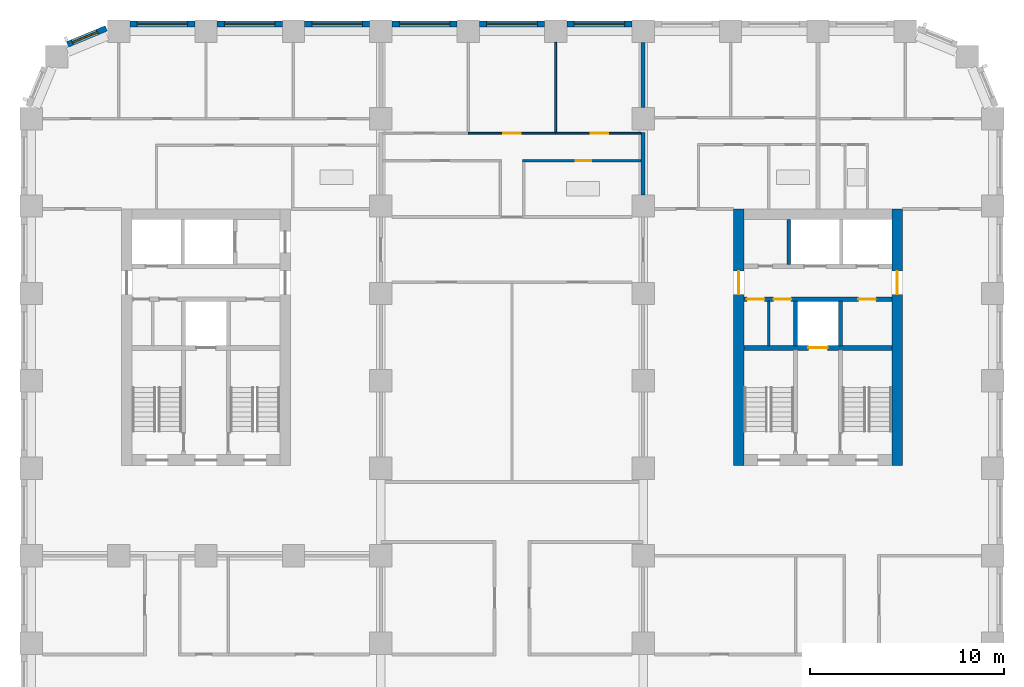
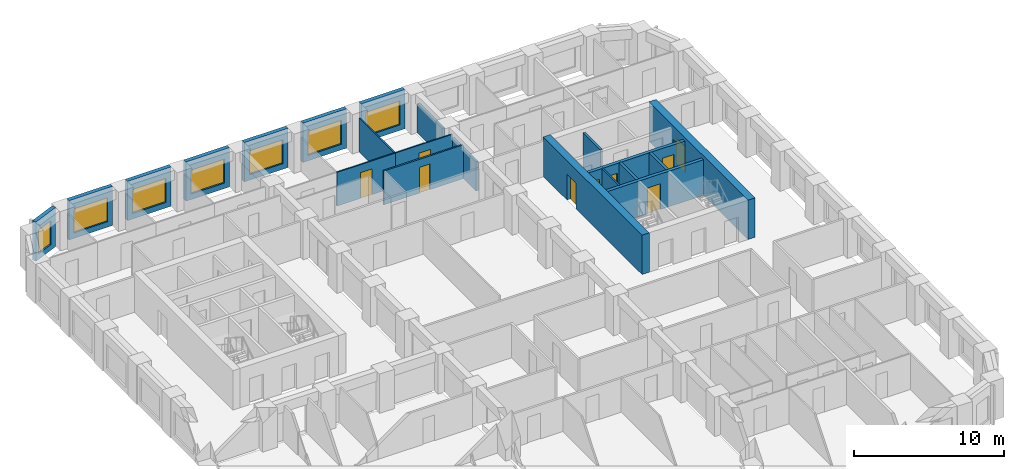
# One storey, part 8 of 13: 21 walls, 9 doors, 7 windows, 16 openings.
"""IFC4 building model written with IfcOpenShell, lengths in metres."""

from ifc_helpers import new_model, si_unit, direction, frame, frame_2d, origin, place, context, subcontext, project, spatial, rectangle, extrude, material, layer, layer_set, type_object, element, fill, save


model = new_model("IFC4")

# Units and contexts
model_context = context("Model", 3, precision=1e-05, world=origin(), true_north=direction((0.0, 1.0)))
body_context = subcontext(model_context, "Body", "Model", "MODEL_VIEW")
ifc_project = project(units=[si_unit("LENGTHUNIT", "METRE"), si_unit("AREAUNIT", "SQUARE_METRE"), si_unit("VOLUMEUNIT", "CUBIC_METRE"), si_unit("PLANEANGLEUNIT", "RADIAN"), si_unit("MASSUNIT", "GRAM", prefix="KILO")], contexts=[model_context])

# Site, building, storey
site_placement = place(None, origin())
site = spatial("IfcSite", under=ifc_project, at=site_placement, CompositionType="ELEMENT")
building_placement = place(site_placement, origin())
building = spatial("IfcBuilding", under=site, at=building_placement, Name="Girih Gate Residences", CompositionType="ELEMENT")
storey_placement = place(building_placement, frame((0.0, 0.0, 86.39990234375)))
storey = spatial("IfcBuildingStorey", under=building, at=storey_placement, Name="L23", CompositionType="ELEMENT", Elevation=86.39990234375)

# Wall, opening, door
ifc_material_1 = material(Name="Concrete C60/75", Category="concrete")
ifc_layer_1 = layer(ifc_material_1, 0.550048828125)
ifc_layer_set_1 = layer_set([ifc_layer_1], Name="Core wall RC 550 Concrete C60/75")
wall_type_1 = type_object("IfcWallType", Name="Core wall RC 550 Concrete C60/75", PredefinedType="SOLIDWALL", material=ifc_layer_set_1)
wall_1_placement = place(storey_placement, frame((36.425048828125, 27.14990234375, 0.0), z_axis=(0.0, 0.0, 1.0), x_axis=(0.0, 1.0, 0.0)))
wall_1 = element("IfcWall", 1, at=wall_1_placement, inside=storey, type_object=wall_type_1, Name="Core wall E-W L23", PredefinedType="SOLIDWALL", context=body_context, shape_type="SweptSolid", body=[
    extrude(rectangle(XDim=13.2001953125, YDim=0.550048828125, at=frame_2d((6.60009765625, 0.0))), origin(), (0.0, 0.0, 1.0), 3.2001953125),
])
opening_1_placement = place(wall_1_placement, frame((8.800048828125, 0.0, 0.0)))
opening_1 = element("IfcOpeningElement", 2, at=opening_1_placement, cuts=wall_1, Name="Opening D-L23-E-013", PredefinedType="OPENING", context=body_context, shape_type="SweptSolid", body=[
    extrude(rectangle(XDim=1.199951171875, YDim=2.10009765625, at=frame_2d((0.60009765625, 1.050048828125))), frame((0.0, 0.284912109375, 0.0), z_axis=(0.0, -1.0, 0.0), x_axis=(1.0, 0.0, 0.0)), (0.0, 0.0, 1.0), 0.570068359375),
])
ifc_material_2 = material(Name="Painted steel, fire-resisting", Category="steel")
door_type_1 = type_object("IfcDoorType", Name="Fire door 1200x2100", OperationType="SINGLE_SWING_LEFT", PredefinedType="DOOR", material=ifc_material_2)
door_1_placement = place(opening_1_placement, origin())
door_1 = element("IfcDoor", 3, at=door_1_placement, inside=storey, type_object=door_type_1, Name="L23 E core door ll-w", OperationType="SINGLE_SWING_LEFT", OverallHeight=2.10009765625, OverallWidth=1.199951171875, PredefinedType="DOOR", context=body_context, shape_type="SweptSolid", body=[
    extrude(rectangle(XDim=1.199951171875, YDim=2.10009765625, at=frame_2d((0.60009765625, 1.050048828125))), frame((0.0, 0.02490234375, 0.0), z_axis=(0.0, -1.0, 0.0), x_axis=(1.0, 0.0, 0.0)), (0.0, 0.0, 1.0), 0.050048828125),
])
fill(opening_1, door_1)

wall_2_placement = place(storey_placement, frame((44.574951171875, 27.14990234375, 0.0), z_axis=(0.0, 0.0, 1.0), x_axis=(0.0, 1.0, 0.0)))
wall_2 = element("IfcWall", 4, at=wall_2_placement, inside=storey, type_object=wall_type_1, Name="Core wall E-E L23", PredefinedType="SOLIDWALL", context=body_context, shape_type="SweptSolid", body=[
    extrude(rectangle(XDim=13.2001953125, YDim=0.550048828125, at=frame_2d((6.60009765625, 0.0))), origin(), (0.0, 0.0, 1.0), 3.2001953125),
])
opening_2_placement = place(wall_2_placement, frame((8.800048828125, 0.0, 0.0)))
opening_2 = element("IfcOpeningElement", 5, at=opening_2_placement, cuts=wall_2, Name="Opening D-L23-E-014", PredefinedType="OPENING", context=body_context, shape_type="SweptSolid", body=[
    extrude(rectangle(XDim=1.199951171875, YDim=2.10009765625, at=frame_2d((0.60009765625, 1.050048828125))), frame((0.0, 0.284912109375, 0.0), z_axis=(0.0, -1.0, 0.0), x_axis=(1.0, 0.0, 0.0)), (0.0, 0.0, 1.0), 0.570068359375),
])
door_2_placement = place(opening_2_placement, origin())
door_2 = element("IfcDoor", 6, at=door_2_placement, inside=storey, type_object=door_type_1, Name="L23 E core door ll-e", OperationType="SINGLE_SWING_LEFT", OverallHeight=2.10009765625, OverallWidth=1.199951171875, PredefinedType="DOOR", context=body_context, shape_type="SweptSolid", body=[
    extrude(rectangle(XDim=1.199951171875, YDim=2.10009765625, at=frame_2d((0.60009765625, 1.050048828125))), frame((0.0, 0.02490234375, 0.0), z_axis=(0.0, -1.0, 0.0), x_axis=(1.0, 0.0, 0.0)), (0.0, 0.0, 1.0), 0.050048828125),
])
fill(opening_2, door_2)

ifc_material_3 = material(Name="Concrete C40/50", Category="concrete")
ifc_layer_2 = layer(ifc_material_3, 0.25)
ifc_layer_set_2 = layer_set([ifc_layer_2], Name="Lift shaft wall 250")
wall_type_2 = type_object("IfcWallType", Name="Lift shaft wall 250", PredefinedType="SOLIDWALL", material=ifc_layer_set_2)
wall_3_placement = place(storey_placement, frame((36.699951171875, 33.199951171875, 0.0), z_axis=(0.0, 0.0, 1.0), x_axis=(1.0, 0.0, 0.0)))
wall_3 = element("IfcWall", 7, at=wall_3_placement, inside=storey, type_object=wall_type_2, Name="L23 E core wall H1", PredefinedType="SOLIDWALL", context=body_context, shape_type="SweptSolid", body=[
    extrude(rectangle(XDim=7.60009765625, YDim=0.25, at=frame_2d((3.800048828125, 0.0))), origin(), (0.0, 0.0, 1.0), 2.900146484375),
])
opening_3_placement = place(wall_3_placement, frame((3.300048828125, 0.0, 0.0)))
opening_3 = element("IfcOpeningElement", 8, at=opening_3_placement, cuts=wall_3, Name="Opening D-L23-E-005", PredefinedType="OPENING", context=body_context, shape_type="SweptSolid", body=[
    extrude(rectangle(XDim=1.0, YDim=2.10009765625, at=frame_2d((0.5, 1.050048828125))), frame((0.0, 0.135009765625, 0.0), z_axis=(0.0, -1.0, 0.0), x_axis=(1.0, 0.0, 0.0)), (0.0, 0.0, 1.0), 0.27001953125),
])
ifc_material_4 = material(Name="Stainless steel, fire-resisting", Category="steel")
door_type_2 = type_object("IfcDoorType", Name="Firefighting lift landing door 1000x2100", OperationType="SLIDING_TO_LEFT", PredefinedType="DOOR", material=ifc_material_4)
door_3_placement = place(opening_3_placement, origin())
door_3 = element("IfcDoor", 9, at=door_3_placement, inside=storey, type_object=door_type_2, Name="L23 lift FF-E landing door", OperationType="SLIDING_TO_LEFT", OverallHeight=2.10009765625, OverallWidth=1.0, PredefinedType="DOOR", context=body_context, shape_type="SweptSolid", body=[
    extrude(rectangle(XDim=1.0, YDim=2.10009765625, at=frame_2d((0.5, 1.050048828125))), frame((0.0, 0.02490234375, 0.0), z_axis=(0.0, -1.0, 0.0), x_axis=(1.0, 0.0, 0.0)), (0.0, 0.0, 1.0), 0.050048828125),
])
fill(opening_3, door_3)

# Wall, openings, doors
wall_4_placement = place(storey_placement, frame((36.699951171875, 35.699951171875, 0.0), z_axis=(0.0, 0.0, 1.0), x_axis=(1.0, 0.0, 0.0)))
wall_4 = element("IfcWall", 10, at=wall_4_placement, inside=storey, type_object=wall_type_2, Name="L23 E core wall H2", PredefinedType="SOLIDWALL", context=body_context, shape_type="SweptSolid", body=[
    extrude(rectangle(XDim=7.60009765625, YDim=0.25, at=frame_2d((3.800048828125, 0.0))), origin(), (0.0, 0.0, 1.0), 2.900146484375),
])
opening_4_placement = place(wall_4_placement, frame((5.875, 0.0, 0.0)))
opening_4 = element("IfcOpeningElement", 11, at=opening_4_placement, cuts=wall_4, Name="Opening D-L23-E-007", PredefinedType="OPENING", context=body_context, shape_type="SweptSolid", body=[
    extrude(rectangle(XDim=0.89990234375, YDim=2.10009765625, at=frame_2d((0.449951171875, 1.050048828125))), frame((0.0, 0.135009765625, 0.0), z_axis=(0.0, -1.0, 0.0), x_axis=(1.0, 0.0, 0.0)), (0.0, 0.0, 1.0), 0.27001953125),
])
opening_5_placement = place(wall_4_placement, frame((1.512451171875, 0.0, 0.0)))
opening_5 = element("IfcOpeningElement", 12, at=opening_5_placement, cuts=wall_4, Name="Opening D-L23-E-008", PredefinedType="OPENING", context=body_context, shape_type="SweptSolid", body=[
    extrude(rectangle(XDim=0.89990234375, YDim=2.10009765625, at=frame_2d((0.449951171875, 1.050048828125))), frame((0.0, 0.135009765625, 0.0), z_axis=(0.0, -1.0, 0.0), x_axis=(1.0, 0.0, 0.0)), (0.0, 0.0, 1.0), 0.27001953125),
])
opening_6_placement = place(wall_4_placement, frame((0.137451171875, 0.0, 0.0)))
opening_6 = element("IfcOpeningElement", 13, at=opening_6_placement, cuts=wall_4, Name="Opening D-L23-E-009", PredefinedType="OPENING", context=body_context, shape_type="SweptSolid", body=[
    extrude(rectangle(XDim=0.89990234375, YDim=2.10009765625, at=frame_2d((0.449951171875, 1.050048828125))), frame((0.0, 0.135009765625, 0.0), z_axis=(0.0, -1.0, 0.0), x_axis=(1.0, 0.0, 0.0)), (0.0, 0.0, 1.0), 0.27001953125),
])
door_type_3 = type_object("IfcDoorType", Name="Fire door 900x2100", OperationType="SINGLE_SWING_LEFT", PredefinedType="DOOR", material=ifc_material_2)
door_4_placement = place(opening_4_placement, origin())
door_4 = element("IfcDoor", 14, at=door_4_placement, inside=storey, type_object=door_type_3, Name="L23 E refuse store door", OperationType="SINGLE_SWING_LEFT", OverallHeight=2.10009765625, OverallWidth=0.89990234375, PredefinedType="DOOR", context=body_context, shape_type="SweptSolid", body=[
    extrude(rectangle(XDim=0.89990234375, YDim=2.10009765625, at=frame_2d((0.449951171875, 1.050048828125))), frame((0.0, 0.02490234375, 0.0), z_axis=(0.0, -1.0, 0.0), x_axis=(1.0, 0.0, 0.0)), (0.0, 0.0, 1.0), 0.050048828125),
])
fill(opening_4, door_4)
door_5_placement = place(opening_5_placement, origin())
door_5 = element("IfcDoor", 15, at=door_5_placement, inside=storey, type_object=door_type_3, Name="L23 E maintenance store door", OperationType="SINGLE_SWING_LEFT", OverallHeight=2.10009765625, OverallWidth=0.89990234375, PredefinedType="DOOR", context=body_context, shape_type="SweptSolid", body=[
    extrude(rectangle(XDim=0.89990234375, YDim=2.10009765625, at=frame_2d((0.449951171875, 1.050048828125))), frame((0.0, 0.02490234375, 0.0), z_axis=(0.0, -1.0, 0.0), x_axis=(1.0, 0.0, 0.0)), (0.0, 0.0, 1.0), 0.050048828125),
])
fill(opening_5, door_5)
door_6_placement = place(opening_6_placement, origin())
door_6 = element("IfcDoor", 16, at=door_6_placement, inside=storey, type_object=door_type_3, Name="L23 E electrical room door", OperationType="SINGLE_SWING_LEFT", OverallHeight=2.10009765625, OverallWidth=0.89990234375, PredefinedType="DOOR", context=body_context, shape_type="SweptSolid", body=[
    extrude(rectangle(XDim=0.89990234375, YDim=2.10009765625, at=frame_2d((0.449951171875, 1.050048828125))), frame((0.0, 0.02490234375, 0.0), z_axis=(0.0, -1.0, 0.0), x_axis=(1.0, 0.0, 0.0)), (0.0, 0.0, 1.0), 0.050048828125),
])
fill(opening_6, door_6)

# Wall
ifc_material_5 = material(Name="Gypsum board on steel studs", Category="steel")
ifc_layer_3 = layer(ifc_material_5, 0.10009765625)
ifc_layer_set_3 = layer_set([ifc_layer_3], Name="Partition 100 mm")
wall_type_3 = type_object("IfcWallType", Name="Partition 100 mm", PredefinedType="PARTITIONING", material=ifc_layer_set_3)
wall_5_placement = place(storey_placement, frame((27.0, 44.294921875, 0.0), z_axis=(0.0, 0.0, 1.0), x_axis=(0.0, 1.0, 0.0)))
element("IfcWall", 17, at=wall_5_placement, inside=storey, type_object=wall_type_3, Name="L23 partition", PredefinedType="PARTITIONING", context=body_context, shape_type="SweptSolid", body=[
    extrude(rectangle(XDim=4.630126953125, YDim=0.10009765625, at=frame_2d((2.31494140625, 0.0))), origin(), (0.0, 0.0, 1.0), 2.75),
])

# Wall, opening, door
wall_6_placement = place(storey_placement, frame((22.5, 44.2451171875, 0.0), z_axis=(0.0, 0.0, 1.0), x_axis=(1.0, 0.0, 0.0)))
wall_6 = element("IfcWall", 18, at=wall_6_placement, inside=storey, type_object=wall_type_3, Name="L23 partition", PredefinedType="PARTITIONING", context=body_context, shape_type="SweptSolid", body=[
    extrude(rectangle(XDim=4.5, YDim=0.10009765625, at=frame_2d((2.25, 0.0))), origin(), (0.0, 0.0, 1.0), 2.75),
])
opening_7_placement = place(wall_6_placement, frame((1.800048828125, 0.0, 0.0)))
opening_7 = element("IfcOpeningElement", 19, at=opening_7_placement, cuts=wall_6, Name="Opening A23-041", PredefinedType="OPENING", context=body_context, shape_type="SweptSolid", body=[
    extrude(rectangle(XDim=0.89990234375, YDim=2.10009765625, at=frame_2d((0.449951171875, 1.050048828125))), frame((0.0, 0.06005859375, 0.0), z_axis=(0.0, -1.0, 0.0), x_axis=(1.0, 0.0, 0.0)), (0.0, 0.0, 1.0), 0.1201171875),
])
ifc_material_6 = material(Name="Timber", Category="wood")
door_type_4 = type_object("IfcDoorType", Name="Bedroom door 900x2100", OperationType="NOTDEFINED", PredefinedType="DOOR", material=ifc_material_6)
door_7_placement = place(opening_7_placement, origin())
door_7 = element("IfcDoor", 20, at=door_7_placement, inside=storey, type_object=door_type_4, Name="Door A23-041", OperationType="SINGLE_SWING_LEFT", OverallHeight=2.10009765625, OverallWidth=0.89990234375, PredefinedType="DOOR", context=body_context, shape_type="SweptSolid", body=[
    extrude(rectangle(XDim=0.89990234375, YDim=2.10009765625, at=frame_2d((0.449951171875, 1.050048828125))), frame((0.0, 0.02490234375, 0.0), z_axis=(0.0, -1.0, 0.0), x_axis=(1.0, 0.0, 0.0)), (0.0, 0.0, 1.0), 0.050048828125),
])
fill(opening_7, door_7)

wall_7_placement = place(storey_placement, frame((27.0, 44.2451171875, 0.0), z_axis=(0.0, 0.0, 1.0), x_axis=(1.0, 0.0, 0.0)))
wall_7 = element("IfcWall", 21, at=wall_7_placement, inside=storey, type_object=wall_type_3, Name="L23 partition", PredefinedType="PARTITIONING", context=body_context, shape_type="SweptSolid", body=[
    extrude(rectangle(XDim=4.39990234375, YDim=0.10009765625, at=frame_2d((2.199951171875, 0.0))), origin(), (0.0, 0.0, 1.0), 2.75),
])
opening_8_placement = place(wall_7_placement, frame((1.800048828125, 0.0, 0.0)))
opening_8 = element("IfcOpeningElement", 22, at=opening_8_placement, cuts=wall_7, Name="Opening A23-042", PredefinedType="OPENING", context=body_context, shape_type="SweptSolid", body=[
    extrude(rectangle(XDim=0.89990234375, YDim=2.10009765625, at=frame_2d((0.449951171875, 1.050048828125))), frame((0.0, 0.06005859375, 0.0), z_axis=(0.0, -1.0, 0.0), x_axis=(1.0, 0.0, 0.0)), (0.0, 0.0, 1.0), 0.1201171875),
])
door_8_placement = place(opening_8_placement, origin())
door_8 = element("IfcDoor", 23, at=door_8_placement, inside=storey, type_object=door_type_4, Name="Door A23-042", OperationType="SINGLE_SWING_RIGHT", OverallHeight=2.10009765625, OverallWidth=0.89990234375, PredefinedType="DOOR", context=body_context, shape_type="SweptSolid", body=[
    extrude(rectangle(XDim=0.89990234375, YDim=2.10009765625, at=frame_2d((0.449951171875, 1.050048828125))), frame((0.0, 0.02490234375, 0.0), z_axis=(0.0, -1.0, 0.0), x_axis=(1.0, 0.0, 0.0)), (0.0, 0.0, 1.0), 0.050048828125),
])
fill(opening_8, door_8)

# Walls
ifc_layer_4 = layer(ifc_material_5, 0.199951171875)
ifc_layer_set_4 = layer_set([ifc_layer_4], Name="Party wall 200 mm")
wall_type_4 = type_object("IfcWallType", Name="Party wall 200 mm", PredefinedType="PARTITIONING", material=ifc_layer_set_4)
wall_8_placement = place(storey_placement, frame((31.5, 41.074951171875, 0.0), z_axis=(0.0, 0.0, 1.0), x_axis=(0.0, 1.0, 0.0)))
element("IfcWall", 24, at=wall_8_placement, inside=storey, type_object=wall_type_4, Name="L23 partition", PredefinedType="PARTITIONING", context=body_context, shape_type="SweptSolid", body=[
    extrude(rectangle(XDim=3.219970703125, YDim=0.199951171875, at=frame_2d((1.60986328125, 0.0))), origin(), (0.0, 0.0, 1.0), 2.380126953125),
])
wall_9_placement = place(storey_placement, frame((31.5, 45.574951171875, 0.0), z_axis=(0.0, 0.0, 1.0), x_axis=(0.0, 1.0, 0.0)))
element("IfcWall", 25, at=wall_9_placement, inside=storey, type_object=wall_type_4, Name="L23 partition", PredefinedType="PARTITIONING", context=body_context, shape_type="SweptSolid", body=[
    extrude(rectangle(XDim=3.35009765625, YDim=0.199951171875, at=frame_2d((1.675048828125, 0.0))), origin(), (0.0, 0.0, 1.0), 2.380126953125),
])

# Wall, opening, window
ifc_material_7 = material(Name="Precast concrete C50/60", Category="concrete")
ifc_layer_5 = layer(ifc_material_7, 0.080078125, Name="Outer leaf")
ifc_material_8 = material(Name="Rigid PIR insulation")
ifc_layer_6 = layer(ifc_material_8, 0.14990234375, Name="Insulation")
ifc_material_9 = material(Name="Precast concrete C40/50", Category="concrete")
ifc_layer_7 = layer(ifc_material_9, 0.070068359375, Name="Inner leaf")
ifc_layer_set_5 = layer_set([ifc_layer_5, ifc_layer_6, ifc_layer_7], Name="Precast concrete C50/60 external wall 300")
wall_type_5 = type_object("IfcWallType", Name="Precast concrete C50/60 external wall 300", PredefinedType="SOLIDWALL", material=ifc_layer_set_5)
wall_10_placement = place(storey_placement, frame((27.574951171875, 49.875, 0.0), z_axis=(0.0, 0.0, 1.0), x_axis=(1.0, 0.0, 0.0)))
wall_10 = element("IfcWall", 26, at=wall_10_placement, inside=storey, type_object=wall_type_5, Name="External wall N0450_0495.3", PredefinedType="SOLIDWALL", context=body_context, shape_type="SweptSolid", body=[
    extrude(rectangle(XDim=3.35009765625, YDim=0.300048828125, at=frame_2d((1.675048828125, 0.0))), origin(), (0.0, 0.0, 1.0), 3.2001953125),
])
opening_9_placement = place(wall_10_placement, frame((0.375, 0.0, 0.449951171875)))
opening_9 = element("IfcOpeningElement", 27, at=opening_9_placement, cuts=wall_10, Name="Opening W-1A", PredefinedType="OPENING", context=body_context, shape_type="SweptSolid", body=[
    extrude(rectangle(XDim=2.60009765625, YDim=1.949951171875, at=frame_2d((1.300048828125, 0.97509765625))), frame((0.0, 0.159912109375, 0.0), z_axis=(0.0, -1.0, 0.0), x_axis=(1.0, 0.0, 0.0)), (0.0, 0.0, 1.0), 0.320068359375),
])
ifc_material_10 = material(Name="Double glazing in aluminium frame", Category="aluminium")
window_type_1 = type_object("IfcWindowType", Name="Window W-1A 2600x1950", PartitioningType="SINGLE_PANEL", PredefinedType="WINDOW", material=ifc_material_10)
window_1_placement = place(opening_9_placement, origin())
window_1 = element("IfcWindow", 28, at=window_1_placement, inside=storey, type_object=window_type_1, Name="Window W-1A N0450_0495.3", OverallHeight=1.949951171875, OverallWidth=2.60009765625, PartitioningType="SINGLE_PANEL", PredefinedType="WINDOW", context=body_context, shape_type="SweptSolid", body=[
    extrude(rectangle(XDim=2.60009765625, YDim=1.949951171875, at=frame_2d((1.300048828125, 0.97509765625))), frame((0.0, 0.030029296875, 0.0), z_axis=(0.0, -1.0, 0.0), x_axis=(1.0, 0.0, 0.0)), (0.0, 0.0, 1.0), 0.06005859375),
])
fill(opening_9, window_1)

wall_11_placement = place(storey_placement, frame((23.074951171875, 49.875, 0.0), z_axis=(0.0, 0.0, 1.0), x_axis=(1.0, 0.0, 0.0)))
wall_11 = element("IfcWall", 29, at=wall_11_placement, inside=storey, type_object=wall_type_5, Name="External wall N0450_0495.4", PredefinedType="SOLIDWALL", context=body_context, shape_type="SweptSolid", body=[
    extrude(rectangle(XDim=3.35009765625, YDim=0.300048828125, at=frame_2d((1.675048828125, 0.0))), origin(), (0.0, 0.0, 1.0), 3.2001953125),
])
opening_10_placement = place(wall_11_placement, frame((0.375, 0.0, 0.449951171875)))
opening_10 = element("IfcOpeningElement", 30, at=opening_10_placement, cuts=wall_11, Name="Opening W-1A", PredefinedType="OPENING", context=body_context, shape_type="SweptSolid", body=[
    extrude(rectangle(XDim=2.60009765625, YDim=1.949951171875, at=frame_2d((1.300048828125, 0.97509765625))), frame((0.0, 0.159912109375, 0.0), z_axis=(0.0, -1.0, 0.0), x_axis=(1.0, 0.0, 0.0)), (0.0, 0.0, 1.0), 0.320068359375),
])
window_2_placement = place(opening_10_placement, origin())
window_2 = element("IfcWindow", 31, at=window_2_placement, inside=storey, type_object=window_type_1, Name="Window W-1A N0450_0495.4", OverallHeight=1.949951171875, OverallWidth=2.60009765625, PartitioningType="SINGLE_PANEL", PredefinedType="WINDOW", context=body_context, shape_type="SweptSolid", body=[
    extrude(rectangle(XDim=2.60009765625, YDim=1.949951171875, at=frame_2d((1.300048828125, 0.97509765625))), frame((0.0, 0.030029296875, 0.0), z_axis=(0.0, -1.0, 0.0), x_axis=(1.0, 0.0, 0.0)), (0.0, 0.0, 1.0), 0.06005859375),
])
fill(opening_10, window_2)

wall_12_placement = place(storey_placement, frame((18.574951171875, 49.875, 0.0), z_axis=(0.0, 0.0, 1.0), x_axis=(1.0, 0.0, 0.0)))
wall_12 = element("IfcWall", 32, at=wall_12_placement, inside=storey, type_object=wall_type_5, Name="External wall N0450_0495.5", PredefinedType="SOLIDWALL", context=body_context, shape_type="SweptSolid", body=[
    extrude(rectangle(XDim=3.35009765625, YDim=0.300048828125, at=frame_2d((1.675048828125, 0.0))), origin(), (0.0, 0.0, 1.0), 3.2001953125),
])
opening_11_placement = place(wall_12_placement, frame((0.375, 0.0, 0.449951171875)))
opening_11 = element("IfcOpeningElement", 33, at=opening_11_placement, cuts=wall_12, Name="Opening W-1A", PredefinedType="OPENING", context=body_context, shape_type="SweptSolid", body=[
    extrude(rectangle(XDim=2.60009765625, YDim=1.949951171875, at=frame_2d((1.300048828125, 0.97509765625))), frame((0.0, 0.159912109375, 0.0), z_axis=(0.0, -1.0, 0.0), x_axis=(1.0, 0.0, 0.0)), (0.0, 0.0, 1.0), 0.320068359375),
])
window_3_placement = place(opening_11_placement, origin())
window_3 = element("IfcWindow", 34, at=window_3_placement, inside=storey, type_object=window_type_1, Name="Window W-1A N0450_0495.5", OverallHeight=1.949951171875, OverallWidth=2.60009765625, PartitioningType="SINGLE_PANEL", PredefinedType="WINDOW", context=body_context, shape_type="SweptSolid", body=[
    extrude(rectangle(XDim=2.60009765625, YDim=1.949951171875, at=frame_2d((1.300048828125, 0.97509765625))), frame((0.0, 0.030029296875, 0.0), z_axis=(0.0, -1.0, 0.0), x_axis=(1.0, 0.0, 0.0)), (0.0, 0.0, 1.0), 0.06005859375),
])
fill(opening_11, window_3)

wall_13_placement = place(storey_placement, frame((14.074951171875, 49.875, 0.0), z_axis=(0.0, 0.0, 1.0), x_axis=(1.0, 0.0, 0.0)))
wall_13 = element("IfcWall", 35, at=wall_13_placement, inside=storey, type_object=wall_type_5, Name="External wall N0450_0495.6", PredefinedType="SOLIDWALL", context=body_context, shape_type="SweptSolid", body=[
    extrude(rectangle(XDim=3.35009765625, YDim=0.300048828125, at=frame_2d((1.675048828125, 0.0))), origin(), (0.0, 0.0, 1.0), 3.2001953125),
])
opening_12_placement = place(wall_13_placement, frame((0.375, 0.0, 0.449951171875)))
opening_12 = element("IfcOpeningElement", 36, at=opening_12_placement, cuts=wall_13, Name="Opening W-1A", PredefinedType="OPENING", context=body_context, shape_type="SweptSolid", body=[
    extrude(rectangle(XDim=2.60009765625, YDim=1.949951171875, at=frame_2d((1.300048828125, 0.97509765625))), frame((0.0, 0.159912109375, 0.0), z_axis=(0.0, -1.0, 0.0), x_axis=(1.0, 0.0, 0.0)), (0.0, 0.0, 1.0), 0.320068359375),
])
window_4_placement = place(opening_12_placement, origin())
window_4 = element("IfcWindow", 37, at=window_4_placement, inside=storey, type_object=window_type_1, Name="Window W-1A N0450_0495.6", OverallHeight=1.949951171875, OverallWidth=2.60009765625, PartitioningType="SINGLE_PANEL", PredefinedType="WINDOW", context=body_context, shape_type="SweptSolid", body=[
    extrude(rectangle(XDim=2.60009765625, YDim=1.949951171875, at=frame_2d((1.300048828125, 0.97509765625))), frame((0.0, 0.030029296875, 0.0), z_axis=(0.0, -1.0, 0.0), x_axis=(1.0, 0.0, 0.0)), (0.0, 0.0, 1.0), 0.06005859375),
])
fill(opening_12, window_4)

wall_14_placement = place(storey_placement, frame((9.574951171875, 49.875, 0.0), z_axis=(0.0, 0.0, 1.0), x_axis=(1.0, 0.0, 0.0)))
wall_14 = element("IfcWall", 38, at=wall_14_placement, inside=storey, type_object=wall_type_5, Name="External wall N0450_0495.7", PredefinedType="SOLIDWALL", context=body_context, shape_type="SweptSolid", body=[
    extrude(rectangle(XDim=3.35009765625, YDim=0.300048828125, at=frame_2d((1.675048828125, 0.0))), origin(), (0.0, 0.0, 1.0), 3.2001953125),
])
opening_13_placement = place(wall_14_placement, frame((0.375, 0.0, 0.449951171875)))
opening_13 = element("IfcOpeningElement", 39, at=opening_13_placement, cuts=wall_14, Name="Opening W-1A", PredefinedType="OPENING", context=body_context, shape_type="SweptSolid", body=[
    extrude(rectangle(XDim=2.60009765625, YDim=1.949951171875, at=frame_2d((1.300048828125, 0.97509765625))), frame((0.0, 0.159912109375, 0.0), z_axis=(0.0, -1.0, 0.0), x_axis=(1.0, 0.0, 0.0)), (0.0, 0.0, 1.0), 0.320068359375),
])
window_5_placement = place(opening_13_placement, origin())
window_5 = element("IfcWindow", 40, at=window_5_placement, inside=storey, type_object=window_type_1, Name="Window W-1A N0450_0495.7", OverallHeight=1.949951171875, OverallWidth=2.60009765625, PartitioningType="SINGLE_PANEL", PredefinedType="WINDOW", context=body_context, shape_type="SweptSolid", body=[
    extrude(rectangle(XDim=2.60009765625, YDim=1.949951171875, at=frame_2d((1.300048828125, 0.97509765625))), frame((0.0, 0.030029296875, 0.0), z_axis=(0.0, -1.0, 0.0), x_axis=(1.0, 0.0, 0.0)), (0.0, 0.0, 1.0), 0.06005859375),
])
fill(opening_13, window_5)

wall_15_placement = place(storey_placement, frame((5.074951171875, 49.875, 0.0), z_axis=(0.0, 0.0, 1.0), x_axis=(1.0, 0.0, 0.0)))
wall_15 = element("IfcWall", 41, at=wall_15_placement, inside=storey, type_object=wall_type_5, Name="External wall N0450_0495.8", PredefinedType="SOLIDWALL", context=body_context, shape_type="SweptSolid", body=[
    extrude(rectangle(XDim=3.35009765625, YDim=0.300048828125, at=frame_2d((1.675048828125, 0.0))), origin(), (0.0, 0.0, 1.0), 3.2001953125),
])
opening_14_placement = place(wall_15_placement, frame((0.375, 0.0, 0.449951171875)))
opening_14 = element("IfcOpeningElement", 42, at=opening_14_placement, cuts=wall_15, Name="Opening W-1A", PredefinedType="OPENING", context=body_context, shape_type="SweptSolid", body=[
    extrude(rectangle(XDim=2.60009765625, YDim=1.949951171875, at=frame_2d((1.300048828125, 0.97509765625))), frame((0.0, 0.159912109375, 0.0), z_axis=(0.0, -1.0, 0.0), x_axis=(1.0, 0.0, 0.0)), (0.0, 0.0, 1.0), 0.320068359375),
])
window_6_placement = place(opening_14_placement, origin())
window_6 = element("IfcWindow", 43, at=window_6_placement, inside=storey, type_object=window_type_1, Name="Window W-1A N0450_0495.8", OverallHeight=1.949951171875, OverallWidth=2.60009765625, PartitioningType="SINGLE_PANEL", PredefinedType="WINDOW", context=body_context, shape_type="SweptSolid", body=[
    extrude(rectangle(XDim=2.60009765625, YDim=1.949951171875, at=frame_2d((1.300048828125, 0.97509765625))), frame((0.0, 0.030029296875, 0.0), z_axis=(0.0, -1.0, 0.0), x_axis=(1.0, 0.0, 0.0)), (0.0, 0.0, 1.0), 0.06005859375),
])
fill(opening_14, window_6)

wall_16_placement = place(storey_placement, frame((1.86865234375, 48.81591796875, 0.0), z_axis=(0.0, 0.0, 1.0), x_axis=(0.923862802911, 0.382723818695, 0.0)))
wall_16 = element("IfcWall", 44, at=wall_16_placement, inside=storey, type_object=wall_type_5, Name="External wall NW0045_0495.0", PredefinedType="SOLIDWALL", context=body_context, shape_type="SweptSolid", body=[
    extrude(rectangle(XDim=2.163818359375, YDim=0.300048828125, at=frame_2d((1.08203125, 0.0))), origin(), (0.0, 0.0, 1.0), 3.2001953125),
])
opening_15_placement = place(wall_16_placement, frame((0.270751953125, 0.0, 0.449951171875)))
opening_15 = element("IfcOpeningElement", 45, at=opening_15_placement, cuts=wall_16, Name="Opening W-2D", PredefinedType="OPENING", context=body_context, shape_type="SweptSolid", body=[
    extrude(rectangle(XDim=1.39990234375, YDim=1.949951171875, at=frame_2d((0.699951171875, 0.97509765625))), frame((0.0, 0.159912109375, 0.0), z_axis=(0.0, -1.0, 0.0), x_axis=(1.0, 0.0, 0.0)), (0.0, 0.0, 1.0), 0.320068359375),
])
window_type_2 = type_object("IfcWindowType", Name="Window W-2D 1400x1950", PartitioningType="SINGLE_PANEL", PredefinedType="WINDOW", material=ifc_material_10)
window_7_placement = place(opening_15_placement, origin())
window_7 = element("IfcWindow", 46, at=window_7_placement, inside=storey, type_object=window_type_2, Name="Window W-2D NW0045_0495.0", OverallHeight=1.949951171875, OverallWidth=1.39990234375, PartitioningType="SINGLE_PANEL", PredefinedType="WINDOW", context=body_context, shape_type="SweptSolid", body=[
    extrude(rectangle(XDim=1.39990234375, YDim=1.949951171875, at=frame_2d((0.699951171875, 0.97509765625))), frame((0.0, 0.030029296875, 0.0), z_axis=(0.0, -1.0, 0.0), x_axis=(1.0, 0.0, 0.0)), (0.0, 0.0, 1.0), 0.06005859375),
])
fill(opening_15, window_7)

# Walls
ifc_layer_8 = layer(ifc_material_3, 0.175048828125)
ifc_layer_set_6 = layer_set([ifc_layer_8], Name="Riser shaft wall 175")
wall_type_6 = type_object("IfcWallType", Name="Riser shaft wall 175", PredefinedType="SOLIDWALL", material=ifc_layer_set_6)
wall_17_placement = place(storey_placement, frame((39.0, 37.5, 0.0), z_axis=(0.0, 0.0, 1.0), x_axis=(0.0, 1.0, 0.0)))
element("IfcWall", 47, at=wall_17_placement, inside=storey, type_object=wall_type_6, Name="L23 E core wall V2c", PredefinedType="SOLIDWALL", context=body_context, shape_type="SweptSolid", body=[
    extrude(rectangle(XDim=2.300048828125, YDim=0.175048828125, at=frame_2d((1.14990234375, 0.0))), origin(), (0.0, 0.0, 1.0), 2.900146484375),
])
ifc_layer_9 = layer(ifc_material_3, 0.199951171875)
ifc_layer_set_7 = layer_set([ifc_layer_9], Name="Shaft wall 200")
wall_type_7 = type_object("IfcWallType", Name="Shaft wall 200", PredefinedType="SOLIDWALL", material=ifc_layer_set_7)
for number, where, z_axis, x_axis, name in (
    (48, (41.64990234375, 33.300048828125, 0.0), (0.0, 0.0, 1.0), (0.0, 1.0, 0.0), "L23 E core wall V1b"),
    (49, (39.35009765625, 33.300048828125, 0.0), (0.0, 0.0, 1.0), (0.0, 1.0, 0.0), "L23 E core wall V2b"),
):
    element("IfcWall", number, at=place(storey_placement, frame(where, z_axis=z_axis, x_axis=x_axis)), inside=storey, type_object=wall_type_7, Name=name, PredefinedType="SOLIDWALL", context=body_context, shape_type="SweptSolid", body=[
        extrude(rectangle(XDim=2.300048828125, YDim=0.199951171875, at=frame_2d((1.14990234375, 0.0))), origin(), (0.0, 0.0, 1.0), 2.900146484375),
    ])
ifc_material_11 = material(Name="Calcium silicate blockwork", Category="masonry")
ifc_layer_10 = layer(ifc_material_11, 0.125)
ifc_layer_set_8 = layer_set([ifc_layer_10], Name="Store partition 125")
wall_type_8 = type_object("IfcWallType", Name="Store partition 125", PredefinedType="PARTITIONING", material=ifc_layer_set_8)
wall_18_placement = place(storey_placement, frame((37.97509765625, 33.300048828125, 0.0), z_axis=(0.0, 0.0, 1.0), x_axis=(0.0, 1.0, 0.0)))
element("IfcWall", 50, at=wall_18_placement, inside=storey, type_object=wall_type_8, Name="L23 E core wall SHR2", PredefinedType="PARTITIONING", context=body_context, shape_type="SweptSolid", body=[
    extrude(rectangle(XDim=2.300048828125, YDim=0.125, at=frame_2d((1.14990234375, 0.0))), origin(), (0.0, 0.0, 1.0), 2.900146484375),
])

# Wall, opening, door
ifc_layer_11 = layer(ifc_material_5, 0.125)
ifc_layer_set_9 = layer_set([ifc_layer_11], Name="Wet room wall 125 mm")
wall_type_9 = type_object("IfcWallType", Name="Wet room wall 125 mm", PredefinedType="PARTITIONING", material=ifc_layer_set_9)
wall_19_placement = place(storey_placement, frame((31.39990234375, 42.824951171875, 0.0), z_axis=(0.0, 0.0, 1.0), x_axis=(-1.0, 0.0, 0.0)))
wall_19 = element("IfcWall", 51, at=wall_19_placement, inside=storey, type_object=wall_type_9, Name="L23 partition", PredefinedType="PARTITIONING", context=body_context, shape_type="SweptSolid", body=[
    extrude(rectangle(XDim=6.1123046875, YDim=0.125, at=frame_2d((3.05615234375, 0.0))), origin(), (0.0, 0.0, 1.0), 2.75),
])
opening_16_placement = place(wall_19_placement, frame((2.574951171875, 0.0, 0.0)))
opening_16 = element("IfcOpeningElement", 52, at=opening_16_placement, cuts=wall_19, Name="Opening A23-040", PredefinedType="OPENING", context=body_context, shape_type="SweptSolid", body=[
    extrude(rectangle(XDim=0.800048828125, YDim=2.10009765625, at=frame_2d((0.39990234375, 1.050048828125))), frame((0.0, 0.072509765625, 0.0), z_axis=(0.0, -1.0, 0.0), x_axis=(1.0, 0.0, 0.0)), (0.0, 0.0, 1.0), 0.14501953125),
])
door_type_5 = type_object("IfcDoorType", Name="Bathroom door 800x2100", OperationType="NOTDEFINED", PredefinedType="DOOR", material=ifc_material_6)
door_9_placement = place(opening_16_placement, origin())
door_9 = element("IfcDoor", 53, at=door_9_placement, inside=storey, type_object=door_type_5, Name="Door A23-040", OperationType="SINGLE_SWING_LEFT", OverallHeight=2.10009765625, OverallWidth=0.800048828125, PredefinedType="DOOR", context=body_context, shape_type="SweptSolid", body=[
    extrude(rectangle(XDim=0.800048828125, YDim=2.10009765625, at=frame_2d((0.39990234375, 1.050048828125))), frame((0.0, 0.02490234375, 0.0), z_axis=(0.0, -1.0, 0.0), x_axis=(1.0, 0.0, 0.0)), (0.0, 0.0, 1.0), 0.050048828125),
])
fill(opening_16, door_9)

save(model, "model.ifc")
